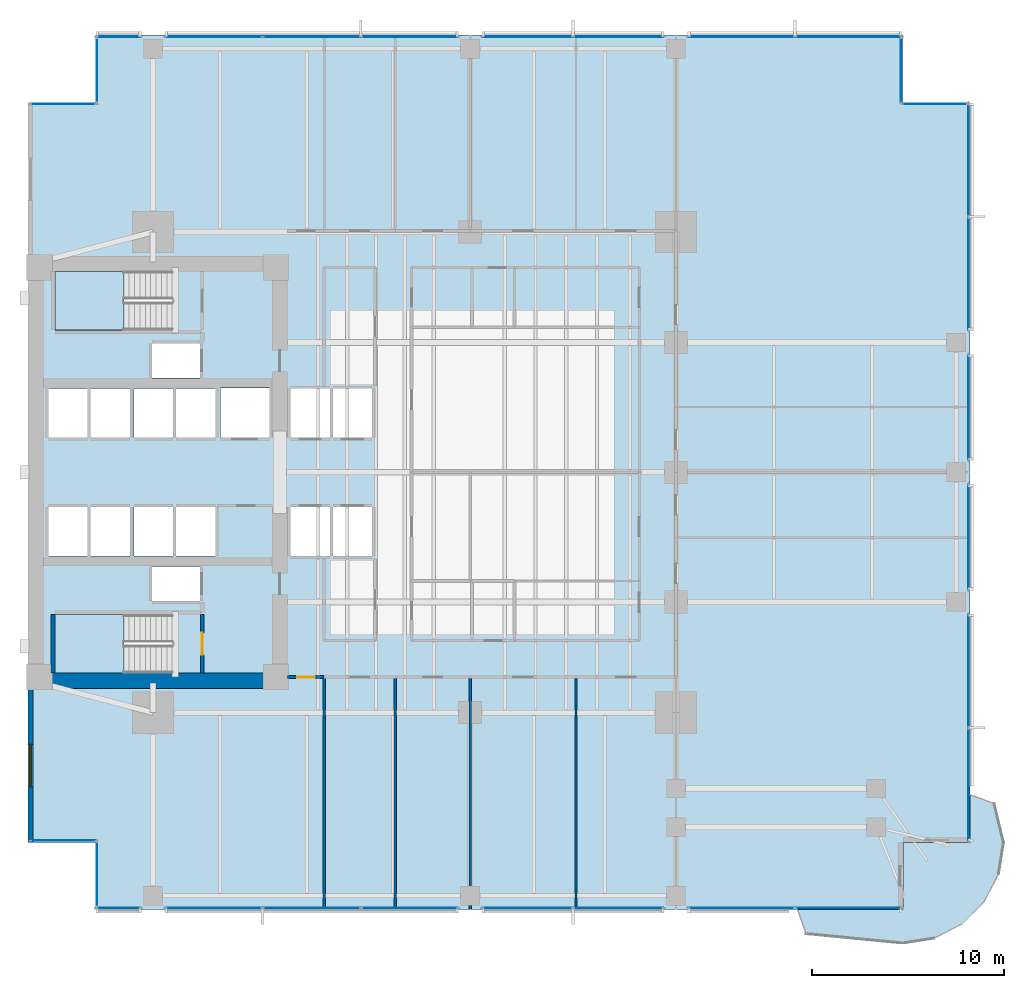
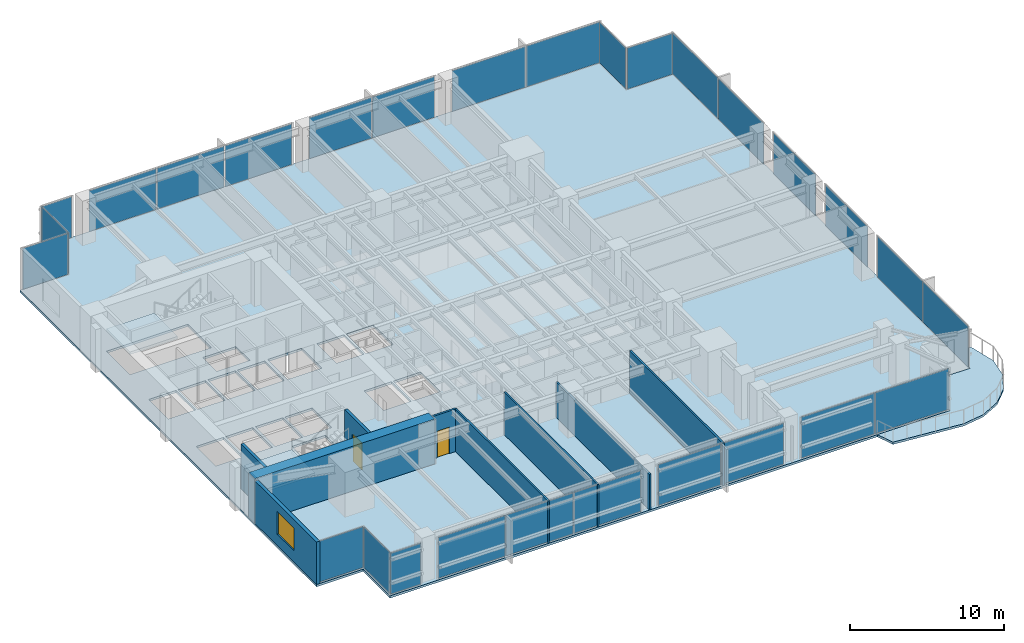
# One storey, part 7 of 15: 28 plates, 9 walls, 4 slabs, 2 doors, 1 window, 3 openings, 20 elements without a shape of their own.
"""IFC4 building model written with IfcOpenShell, lengths in metres."""

from ifc_helpers import new_model, si_unit, direction, frame, frame_2d, origin, origin_2d, place, context, subcontext, project, spatial, polyline, rectangle, outline, extrude, material, layer, layer_set, type_object, element, fill, aggregate, save


model = new_model("IFC4")

# Units and contexts
model_context = context("Model", 3, precision=1e-05, world=origin(), true_north=direction((0.0, 1.0)))
body_context = subcontext(model_context, "Body", "Model", "MODEL_VIEW")
ifc_project = project(units=[si_unit("LENGTHUNIT", "METRE"), si_unit("AREAUNIT", "SQUARE_METRE"), si_unit("VOLUMEUNIT", "CUBIC_METRE"), si_unit("PLANEANGLEUNIT", "RADIAN"), si_unit("MASSUNIT", "GRAM", prefix="KILO")], contexts=[model_context])

# Site, building, storey
site_placement = place(None, origin())
site = spatial("IfcSite", under=ifc_project, at=site_placement, CompositionType="ELEMENT")
building_placement = place(site_placement, origin())
building = spatial("IfcBuilding", under=site, at=building_placement, Name="Kinhvarn Gate Tower", CompositionType="ELEMENT")
storey_placement = place(building_placement, frame((0.0, 0.0, 61.10009765625)))
storey = spatial("IfcBuildingStorey", under=building, at=storey_placement, Name="L15", CompositionType="ELEMENT", Elevation=61.10009765625)

# Curtain wall, plate
ifc_material_1 = material(Name="Anodised aluminium AW-6063", Category="aluminium")
ifc_layer_1 = layer(ifc_material_1, 0.179931640625)
ifc_layer_set_1 = layer_set([ifc_layer_1], Name="Anodised aluminium AW-6063")
curtain_wall_type_1 = type_object("IfcCurtainWallType", Name="CW-SYS-2", PredefinedType="NOTDEFINED", material=ifc_layer_set_1)
curtain_wall_1_placement = place(storey_placement, origin())
curtain_wall_1 = element("IfcCurtainWall", 1, at=curtain_wall_1_placement, inside=storey, type_object=curtain_wall_type_1, Name="Curtain Wall CW2 (L15)", PredefinedType="NOTDEFINED")
ifc_material_2 = material(Name="Clear low-e double glazing", Category="glass")
ifc_layer_2 = layer(ifc_material_2, 0.031982421875)
ifc_layer_set_2 = layer_set([ifc_layer_2], Name="Clear low-e double glazing")
plate_type = type_object("IfcPlateType", Name="CW-PNL-VIS", PredefinedType="CURTAIN_PANEL", material=ifc_layer_set_2)
plate_1_placement = place(storey_placement, frame((9.2099609375, 2.590087890625, 0.06982421875), z_axis=(0.0, 0.0, 1.0), x_axis=(1.0, 0.0, 0.0)))
plate_1 = element("IfcPlate", 2, at=plate_1_placement, type_object=plate_type, Name="CW2 panel 1.1", PredefinedType="CURTAIN_PANEL", context=body_context, shape_type="SweptSolid", body=[
    extrude(rectangle(XDim=2.280029296875, YDim=0.031982421875, at=origin_2d()), origin(), (0.0, 0.0, 1.0), 3.22998046875),
])
aggregate(curtain_wall_1, [plate_1])

# Curtain wall, plates
curtain_wall_2_placement = place(storey_placement, origin())
curtain_wall_2 = element("IfcCurtainWall", 3, at=curtain_wall_2_placement, inside=storey, type_object=curtain_wall_type_1, Name="Curtain Wall CW2 (L15)", PredefinedType="NOTDEFINED")
plate_2_placement = place(storey_placement, frame((14.154052734375, 2.590087890625, 0.06982421875), z_axis=(0.0, 0.0, 1.0), x_axis=(1.0, 0.0, 0.0)))
plate_2 = element("IfcPlate", 4, at=plate_2_placement, type_object=plate_type, Name="CW2 panel 1.1", PredefinedType="CURTAIN_PANEL", context=body_context, shape_type="SweptSolid", body=[
    extrude(rectangle(XDim=5.00830078125, YDim=0.031982421875, at=origin_2d()), origin(), (0.0, 0.0, 1.0), 3.22998046875),
])
plate_3_placement = place(storey_placement, frame((19.25, 2.590087890625, 0.06982421875), z_axis=(0.0, 0.0, 1.0), x_axis=(1.0, 0.0, 0.0)))
plate_3 = element("IfcPlate", 5, at=plate_3_placement, type_object=plate_type, Name="CW2 panel 2.1", PredefinedType="CURTAIN_PANEL", context=body_context, shape_type="SweptSolid", body=[
    extrude(rectangle(XDim=5.043212890625, YDim=0.031982421875, at=origin_2d()), origin(), (0.0, 0.0, 1.0), 3.22998046875),
])
plate_4_placement = place(storey_placement, frame((24.345947265625, 2.590087890625, 0.06982421875), z_axis=(0.0, 0.0, 1.0), x_axis=(1.0, 0.0, 0.0)))
plate_4 = element("IfcPlate", 6, at=plate_4_placement, type_object=plate_type, Name="CW2 panel 3.1", PredefinedType="CURTAIN_PANEL", context=body_context, shape_type="SweptSolid", body=[
    extrude(rectangle(XDim=5.00830078125, YDim=0.031982421875, at=origin_2d()), origin(), (0.0, 0.0, 1.0), 3.22998046875),
])
aggregate(curtain_wall_2, [plate_2, plate_3, plate_4])

curtain_wall_3_placement = place(storey_placement, origin())
curtain_wall_3 = element("IfcCurtainWall", 7, at=curtain_wall_3_placement, inside=storey, type_object=curtain_wall_type_1, Name="Curtain Wall CW2 (L15)", PredefinedType="NOTDEFINED")
plate_5_placement = place(storey_placement, frame((30.482421875, 2.590087890625, 0.06982421875), z_axis=(0.0, 0.0, 1.0), x_axis=(1.0, 0.0, 0.0)))
plate_5 = element("IfcPlate", 8, at=plate_5_placement, type_object=plate_type, Name="CW2 panel 1.1", PredefinedType="CURTAIN_PANEL", context=body_context, shape_type="SweptSolid", body=[
    extrude(rectangle(XDim=4.6650390625, YDim=0.031982421875, at=origin_2d()), origin(), (0.0, 0.0, 1.0), 3.22998046875),
])
plate_6_placement = place(storey_placement, frame((35.217529296875, 2.590087890625, 0.06982421875), z_axis=(0.0, 0.0, 1.0), x_axis=(1.0, 0.0, 0.0)))
plate_6 = element("IfcPlate", 9, at=plate_6_placement, type_object=plate_type, Name="CW2 panel 2.1", PredefinedType="CURTAIN_PANEL", context=body_context, shape_type="SweptSolid", body=[
    extrude(rectangle(XDim=4.6650390625, YDim=0.031982421875, at=origin_2d()), origin(), (0.0, 0.0, 1.0), 3.22998046875),
])
aggregate(curtain_wall_3, [plate_5, plate_6])

curtain_wall_4_placement = place(storey_placement, origin())
curtain_wall_4 = element("IfcCurtainWall", 10, at=curtain_wall_4_placement, inside=storey, type_object=curtain_wall_type_1, Name="Curtain Wall CW2 (L15)", PredefinedType="NOTDEFINED")
plate_7_placement = place(storey_placement, frame((41.6025390625, 2.590087890625, 0.06982421875), z_axis=(0.0, 0.0, 1.0), x_axis=(1.0, 0.0, 0.0)))
plate_7 = element("IfcPlate", 11, at=plate_7_placement, type_object=plate_type, Name="CW2 panel 1.1", PredefinedType="CURTAIN_PANEL", context=body_context, shape_type="SweptSolid", body=[
    extrude(rectangle(XDim=5.5048828125, YDim=0.031982421875, at=origin_2d()), origin(), (0.0, 0.0, 1.0), 3.22998046875),
])
plate_8_placement = place(storey_placement, frame((47.177490234375, 2.590087890625, 0.06982421875), z_axis=(0.0, 0.0, 1.0), x_axis=(1.0, 0.0, 0.0)))
plate_8 = element("IfcPlate", 12, at=plate_8_placement, type_object=plate_type, Name="CW2 panel 2.1", PredefinedType="CURTAIN_PANEL", context=body_context, shape_type="SweptSolid", body=[
    extrude(rectangle(XDim=5.5048828125, YDim=0.031982421875, at=origin_2d()), origin(), (0.0, 0.0, 1.0), 3.22998046875),
])
aggregate(curtain_wall_4, [plate_7, plate_8])

curtain_wall_5_placement = place(storey_placement, origin())
curtain_wall_5 = element("IfcCurtainWall", 13, at=curtain_wall_5_placement, inside=storey, type_object=curtain_wall_type_1, Name="Curtain Wall CW2 (L15)", PredefinedType="NOTDEFINED")
plate_9_placement = place(storey_placement, frame((47.177490234375, 47.909912109375, 0.06982421875), z_axis=(0.0, 0.0, 1.0), x_axis=(-1.0, 0.0, 0.0)))
plate_9 = element("IfcPlate", 14, at=plate_9_placement, type_object=plate_type, Name="CW2 panel 1.1", PredefinedType="CURTAIN_PANEL", context=body_context, shape_type="SweptSolid", body=[
    extrude(rectangle(XDim=5.5048828125, YDim=0.031982421875, at=origin_2d()), origin(), (0.0, 0.0, 1.0), 3.22998046875),
])
plate_10_placement = place(storey_placement, frame((41.6025390625, 47.909912109375, 0.06982421875), z_axis=(0.0, 0.0, 1.0), x_axis=(-1.0, 0.0, 0.0)))
plate_10 = element("IfcPlate", 15, at=plate_10_placement, type_object=plate_type, Name="CW2 panel 2.1", PredefinedType="CURTAIN_PANEL", context=body_context, shape_type="SweptSolid", body=[
    extrude(rectangle(XDim=5.5048828125, YDim=0.031982421875, at=origin_2d()), origin(), (0.0, 0.0, 1.0), 3.22998046875),
])
aggregate(curtain_wall_5, [plate_9, plate_10])

curtain_wall_6_placement = place(storey_placement, origin())
curtain_wall_6 = element("IfcCurtainWall", 16, at=curtain_wall_6_placement, inside=storey, type_object=curtain_wall_type_1, Name="Curtain Wall CW2 (L15)", PredefinedType="NOTDEFINED")
plate_11_placement = place(storey_placement, frame((35.217529296875, 47.909912109375, 0.06982421875), z_axis=(0.0, 0.0, 1.0), x_axis=(-1.0, 0.0, 0.0)))
plate_11 = element("IfcPlate", 17, at=plate_11_placement, type_object=plate_type, Name="CW2 panel 1.1", PredefinedType="CURTAIN_PANEL", context=body_context, shape_type="SweptSolid", body=[
    extrude(rectangle(XDim=4.6650390625, YDim=0.031982421875, at=origin_2d()), origin(), (0.0, 0.0, 1.0), 3.22998046875),
])
plate_12_placement = place(storey_placement, frame((30.482421875, 47.909912109375, 0.06982421875), z_axis=(0.0, 0.0, 1.0), x_axis=(-1.0, 0.0, 0.0)))
plate_12 = element("IfcPlate", 18, at=plate_12_placement, type_object=plate_type, Name="CW2 panel 2.1", PredefinedType="CURTAIN_PANEL", context=body_context, shape_type="SweptSolid", body=[
    extrude(rectangle(XDim=4.6650390625, YDim=0.031982421875, at=origin_2d()), origin(), (0.0, 0.0, 1.0), 3.22998046875),
])
aggregate(curtain_wall_6, [plate_11, plate_12])

curtain_wall_7_placement = place(storey_placement, origin())
curtain_wall_7 = element("IfcCurtainWall", 19, at=curtain_wall_7_placement, inside=storey, type_object=curtain_wall_type_1, Name="Curtain Wall CW2 (L15)", PredefinedType="NOTDEFINED")
plate_13_placement = place(storey_placement, frame((24.345947265625, 47.909912109375, 0.06982421875), z_axis=(0.0, 0.0, 1.0), x_axis=(-1.0, 0.0, 0.0)))
plate_13 = element("IfcPlate", 20, at=plate_13_placement, type_object=plate_type, Name="CW2 panel 1.1", PredefinedType="CURTAIN_PANEL", context=body_context, shape_type="SweptSolid", body=[
    extrude(rectangle(XDim=5.00830078125, YDim=0.031982421875, at=origin_2d()), origin(), (0.0, 0.0, 1.0), 3.22998046875),
])
plate_14_placement = place(storey_placement, frame((19.25, 47.909912109375, 0.06982421875), z_axis=(0.0, 0.0, 1.0), x_axis=(-1.0, 0.0, 0.0)))
plate_14 = element("IfcPlate", 21, at=plate_14_placement, type_object=plate_type, Name="CW2 panel 2.1", PredefinedType="CURTAIN_PANEL", context=body_context, shape_type="SweptSolid", body=[
    extrude(rectangle(XDim=5.043212890625, YDim=0.031982421875, at=origin_2d()), origin(), (0.0, 0.0, 1.0), 3.22998046875),
])
plate_15_placement = place(storey_placement, frame((14.154052734375, 47.909912109375, 0.06982421875), z_axis=(0.0, 0.0, 1.0), x_axis=(-1.0, 0.0, 0.0)))
plate_15 = element("IfcPlate", 22, at=plate_15_placement, type_object=plate_type, Name="CW2 panel 3.1", PredefinedType="CURTAIN_PANEL", context=body_context, shape_type="SweptSolid", body=[
    extrude(rectangle(XDim=5.00830078125, YDim=0.031982421875, at=origin_2d()), origin(), (0.0, 0.0, 1.0), 3.22998046875),
])
aggregate(curtain_wall_7, [plate_13, plate_14, plate_15])

# Curtain wall, plate
curtain_wall_8_placement = place(storey_placement, origin())
curtain_wall_8 = element("IfcCurtainWall", 23, at=curtain_wall_8_placement, inside=storey, type_object=curtain_wall_type_1, Name="Curtain Wall CW2 (L15)", PredefinedType="NOTDEFINED")
plate_16_placement = place(storey_placement, frame((9.2099609375, 47.909912109375, 0.06982421875), z_axis=(0.0, 0.0, 1.0), x_axis=(-1.0, 0.0, 0.0)))
plate_16 = element("IfcPlate", 24, at=plate_16_placement, type_object=plate_type, Name="CW2 panel 1.1", PredefinedType="CURTAIN_PANEL", context=body_context, shape_type="SweptSolid", body=[
    extrude(rectangle(XDim=2.280029296875, YDim=0.031982421875, at=origin_2d()), origin(), (0.0, 0.0, 1.0), 3.22998046875),
])
aggregate(curtain_wall_8, [plate_16])

# Curtain wall, plates
curtain_wall_9_placement = place(storey_placement, origin())
curtain_wall_9 = element("IfcCurtainWall", 25, at=curtain_wall_9_placement, inside=storey, type_object=curtain_wall_type_1, Name="Curtain Wall CW2 (L15)", PredefinedType="NOTDEFINED")
plate_17_placement = place(storey_placement, frame((53.409912109375, 8.99755859375, 0.06982421875), z_axis=(0.0, 0.0, 1.0), x_axis=(0.0, 1.0, 0.0)))
plate_17 = element("IfcPlate", 26, at=plate_17_placement, type_object=plate_type, Name="CW2 panel 1.1", PredefinedType="CURTAIN_PANEL", context=body_context, shape_type="SweptSolid", body=[
    extrude(rectangle(XDim=5.85498046875, YDim=0.031982421875, at=origin_2d()), origin(), (0.0, 0.0, 1.0), 3.22998046875),
])
plate_18_placement = place(storey_placement, frame((53.409912109375, 14.922607421875, 0.06982421875), z_axis=(0.0, 0.0, 1.0), x_axis=(0.0, 1.0, 0.0)))
plate_18 = element("IfcPlate", 27, at=plate_18_placement, type_object=plate_type, Name="CW2 panel 2.1", PredefinedType="CURTAIN_PANEL", context=body_context, shape_type="SweptSolid", body=[
    extrude(rectangle(XDim=5.85498046875, YDim=0.031982421875, at=origin_2d()), origin(), (0.0, 0.0, 1.0), 3.22998046875),
])
aggregate(curtain_wall_9, [plate_17, plate_18])

# Curtain wall, plate
curtain_wall_10_placement = place(storey_placement, origin())
curtain_wall_10 = element("IfcCurtainWall", 28, at=curtain_wall_10_placement, inside=storey, type_object=curtain_wall_type_1, Name="Curtain Wall CW2 (L15)", PredefinedType="NOTDEFINED")
plate_19_placement = place(storey_placement, frame((53.409912109375, 21.875, 0.06982421875), z_axis=(0.0, 0.0, 1.0), x_axis=(0.0, 1.0, 0.0)))
plate_19 = element("IfcPlate", 29, at=plate_19_placement, type_object=plate_type, Name="CW2 panel 1.1", PredefinedType="CURTAIN_PANEL", context=body_context, shape_type="SweptSolid", body=[
    extrude(rectangle(XDim=5.449951171875, YDim=0.031982421875, at=origin_2d()), origin(), (0.0, 0.0, 1.0), 3.22998046875),
])
aggregate(curtain_wall_10, [plate_19])

curtain_wall_11_placement = place(storey_placement, origin())
curtain_wall_11 = element("IfcCurtainWall", 30, at=curtain_wall_11_placement, inside=storey, type_object=curtain_wall_type_1, Name="Curtain Wall CW2 (L15)", PredefinedType="NOTDEFINED")
plate_20_placement = place(storey_placement, frame((53.409912109375, 28.625, 0.06982421875), z_axis=(0.0, 0.0, 1.0), x_axis=(0.0, 1.0, 0.0)))
plate_20 = element("IfcPlate", 31, at=plate_20_placement, type_object=plate_type, Name="CW2 panel 1.1", PredefinedType="CURTAIN_PANEL", context=body_context, shape_type="SweptSolid", body=[
    extrude(rectangle(XDim=5.449951171875, YDim=0.031982421875, at=origin_2d()), origin(), (0.0, 0.0, 1.0), 3.22998046875),
])
aggregate(curtain_wall_11, [plate_20])

# Curtain wall, plates
curtain_wall_12_placement = place(storey_placement, origin())
curtain_wall_12 = element("IfcCurtainWall", 32, at=curtain_wall_12_placement, inside=storey, type_object=curtain_wall_type_1, Name="Curtain Wall CW2 (L15)", PredefinedType="NOTDEFINED")
plate_21_placement = place(storey_placement, frame((53.409912109375, 35.577392578125, 0.06982421875), z_axis=(0.0, 0.0, 1.0), x_axis=(0.0, 1.0, 0.0)))
plate_21 = element("IfcPlate", 33, at=plate_21_placement, type_object=plate_type, Name="CW2 panel 1.1", PredefinedType="CURTAIN_PANEL", context=body_context, shape_type="SweptSolid", body=[
    extrude(rectangle(XDim=5.85498046875, YDim=0.031982421875, at=origin_2d()), origin(), (0.0, 0.0, 1.0), 3.22998046875),
])
plate_22_placement = place(storey_placement, frame((53.409912109375, 41.50244140625, 0.06982421875), z_axis=(0.0, 0.0, 1.0), x_axis=(0.0, 1.0, 0.0)))
plate_22 = element("IfcPlate", 34, at=plate_22_placement, type_object=plate_type, Name="CW2 panel 2.1", PredefinedType="CURTAIN_PANEL", context=body_context, shape_type="SweptSolid", body=[
    extrude(rectangle(XDim=5.85498046875, YDim=0.031982421875, at=origin_2d()), origin(), (0.0, 0.0, 1.0), 3.22998046875),
])
aggregate(curtain_wall_12, [plate_21, plate_22])

# Curtain wall, plate
ifc_layer_3 = layer(ifc_material_1, 0.179931640625)
ifc_layer_set_3 = layer_set([ifc_layer_3], Name="Anodised aluminium AW-6063")
curtain_wall_type_2 = type_object("IfcCurtainWallType", Name="CW-SYS-4", PredefinedType="NOTDEFINED", material=ifc_layer_set_3)
curtain_wall_13_placement = place(storey_placement, origin())
curtain_wall_13 = element("IfcCurtainWall", 35, at=curtain_wall_13_placement, inside=storey, type_object=curtain_wall_type_2, Name="Curtain Wall CW4 (L15)", PredefinedType="NOTDEFINED")
plate_23_placement = place(storey_placement, frame((6.340087890625, 6.090087890625, 0.06494140625), z_axis=(0.0, 0.0, 1.0), x_axis=(1.0, 0.0, 0.0)))
plate_23 = element("IfcPlate", 36, at=plate_23_placement, type_object=plate_type, Name="CW4 panel 1.1", PredefinedType="CURTAIN_PANEL", context=body_context, shape_type="SweptSolid", body=[
    extrude(rectangle(XDim=3.3701171875, YDim=0.031982421875, at=origin_2d()), origin(), (0.0, 0.0, 1.0), 3.239990234375),
])
aggregate(curtain_wall_13, [plate_23])

curtain_wall_14_placement = place(storey_placement, origin())
curtain_wall_14 = element("IfcCurtainWall", 37, at=curtain_wall_14_placement, inside=storey, type_object=curtain_wall_type_2, Name="Curtain Wall CW4 (L15)", PredefinedType="NOTDEFINED")
plate_24_placement = place(storey_placement, frame((8.090087890625, 4.340087890625, 0.06494140625), z_axis=(0.0, 0.0, 1.0), x_axis=(0.0, -1.0, 0.0)))
plate_24 = element("IfcPlate", 38, at=plate_24_placement, type_object=plate_type, Name="CW4 panel 1.1", PredefinedType="CURTAIN_PANEL", context=body_context, shape_type="SweptSolid", body=[
    extrude(rectangle(XDim=3.3701171875, YDim=0.031982421875, at=origin_2d()), origin(), (0.0, 0.0, 1.0), 3.239990234375),
])
aggregate(curtain_wall_14, [plate_24])

curtain_wall_15_placement = place(storey_placement, origin())
curtain_wall_15 = element("IfcCurtainWall", 39, at=curtain_wall_15_placement, inside=storey, type_object=curtain_wall_type_2, Name="Curtain Wall CW4 (L15)", PredefinedType="NOTDEFINED")
plate_25_placement = place(storey_placement, frame((51.659912109375, 44.409912109375, 0.06494140625), z_axis=(0.0, 0.0, 1.0), x_axis=(-1.0, 0.0, 0.0)))
plate_25 = element("IfcPlate", 40, at=plate_25_placement, type_object=plate_type, Name="CW4 panel 1.1", PredefinedType="CURTAIN_PANEL", context=body_context, shape_type="SweptSolid", body=[
    extrude(rectangle(XDim=3.3701171875, YDim=0.031982421875, at=origin_2d()), origin(), (0.0, 0.0, 1.0), 3.239990234375),
])
aggregate(curtain_wall_15, [plate_25])

curtain_wall_16_placement = place(storey_placement, origin())
curtain_wall_16 = element("IfcCurtainWall", 41, at=curtain_wall_16_placement, inside=storey, type_object=curtain_wall_type_2, Name="Curtain Wall CW4 (L15)", PredefinedType="NOTDEFINED")
plate_26_placement = place(storey_placement, frame((49.909912109375, 46.159912109375, 0.06494140625), z_axis=(0.0, 0.0, 1.0), x_axis=(0.0, 1.0, 0.0)))
plate_26 = element("IfcPlate", 42, at=plate_26_placement, type_object=plate_type, Name="CW4 panel 1.1", PredefinedType="CURTAIN_PANEL", context=body_context, shape_type="SweptSolid", body=[
    extrude(rectangle(XDim=3.3701171875, YDim=0.031982421875, at=origin_2d()), origin(), (0.0, 0.0, 1.0), 3.239990234375),
])
aggregate(curtain_wall_16, [plate_26])

curtain_wall_17_placement = place(storey_placement, origin())
curtain_wall_17 = element("IfcCurtainWall", 43, at=curtain_wall_17_placement, inside=storey, type_object=curtain_wall_type_2, Name="Curtain Wall CW4 (L15)", PredefinedType="NOTDEFINED")
plate_27_placement = place(storey_placement, frame((8.090087890625, 46.159912109375, 0.06494140625), z_axis=(0.0, 0.0, 1.0), x_axis=(0.0, -1.0, 0.0)))
plate_27 = element("IfcPlate", 44, at=plate_27_placement, type_object=plate_type, Name="CW4 panel 1.1", PredefinedType="CURTAIN_PANEL", context=body_context, shape_type="SweptSolid", body=[
    extrude(rectangle(XDim=3.3701171875, YDim=0.031982421875, at=origin_2d()), origin(), (0.0, 0.0, 1.0), 3.239990234375),
])
aggregate(curtain_wall_17, [plate_27])

curtain_wall_18_placement = place(storey_placement, origin())
curtain_wall_18 = element("IfcCurtainWall", 45, at=curtain_wall_18_placement, inside=storey, type_object=curtain_wall_type_2, Name="Curtain Wall CW4 (L15)", PredefinedType="NOTDEFINED")
plate_28_placement = place(storey_placement, frame((6.340087890625, 44.409912109375, 0.06494140625), z_axis=(0.0, 0.0, 1.0), x_axis=(-1.0, 0.0, 0.0)))
plate_28 = element("IfcPlate", 46, at=plate_28_placement, type_object=plate_type, Name="CW4 panel 1.1", PredefinedType="CURTAIN_PANEL", context=body_context, shape_type="SweptSolid", body=[
    extrude(rectangle(XDim=3.3701171875, YDim=0.031982421875, at=origin_2d()), origin(), (0.0, 0.0, 1.0), 3.239990234375),
])
aggregate(curtain_wall_18, [plate_28])

# Slabs
ifc_material_3 = material(Name="Precast white architectural concrete C40/50", Category="concrete")
ifc_layer_4 = layer(ifc_material_3, 0.179931640625)
ifc_layer_set_4 = layer_set([ifc_layer_4], Name="Precast white architectural concrete C40/50")
slab_type_1 = type_object("IfcSlabType", Name="SLB-BAL-180", PredefinedType="FLOOR", material=ifc_layer_set_4)
slab_1_placement = place(storey_placement, frame((0.0, 0.0, -0.18017578125)))
element("IfcSlab", 47, at=slab_1_placement, inside=storey, type_object=slab_type_1, Name="S-Carve Curved Terrace Balcony Slab L15 (SE)", PredefinedType="FLOOR", context=body_context, shape_type="SweptSolid", body=[
    extrude(outline(polyline([(44.527099609375, 2.5), (44.97705078125, 1.245849609375), (50.0, 0.758056640625), (51.619873046875, 1.0146484375), (53.081298828125, 1.759033203125), (54.240966796875, 2.918701171875), (54.9853515625, 4.380126953125), (55.241943359375, 6.0), (54.754150390625, 8.027099609375), (53.5, 8.47705078125), (53.5, 6.0), (50.0, 6.0), (50.0, 2.5), (44.527099609375, 2.5)])), origin(), (0.0, 0.0, 1.0), 0.18017578125),
])
ifc_material_4 = material(Name="Concrete C40/50", Category="concrete")
ifc_layer_5 = layer(ifc_material_4, 0.179931640625)
ifc_layer_set_5 = layer_set([ifc_layer_5], Name="Concrete C40/50")
slab_type_2 = type_object("IfcSlabType", Name="SLB-FLR-180", PredefinedType="FLOOR", material=ifc_layer_set_5)
slab_2_placement = place(storey_placement, frame((0.0, 0.0, -0.18017578125)))
element("IfcSlab", 48, at=slab_2_placement, inside=storey, type_object=slab_type_2, Name="Suspended Floor Slab L15", PredefinedType="FLOOR", context=body_context, shape_type="SweptSolid", body=[
    extrude(outline(polyline([(8.0, 2.5), (50.0, 2.5), (50.0, 6.0), (53.5, 6.0), (53.5, 44.5), (50.0, 44.5), (50.0, 48.0), (8.0, 48.0), (8.0, 44.5), (4.5, 44.5), (4.5, 6.0), (8.0, 6.0), (8.0, 2.5)]), holes=[polyline([(5.89990234375, 14.800048828125), (12.0, 14.800048828125), (12.0, 17.85009765625), (5.89990234375, 17.85009765625), (5.89990234375, 14.800048828125)]), polyline([(5.89990234375, 32.64990234375), (12.0, 32.64990234375), (12.0, 35.699951171875), (5.89990234375, 35.699951171875), (5.89990234375, 32.64990234375)]), polyline([(18.14990234375, 20.89990234375), (20.199951171875, 20.89990234375), (20.199951171875, 23.449951171875), (18.14990234375, 23.449951171875), (18.14990234375, 20.89990234375)]), polyline([(20.35009765625, 20.89990234375), (22.39990234375, 20.89990234375), (22.39990234375, 23.449951171875), (20.35009765625, 23.449951171875), (20.35009765625, 20.89990234375)]), polyline([(18.14990234375, 27.050048828125), (20.199951171875, 27.050048828125), (20.199951171875, 29.60009765625), (18.14990234375, 29.60009765625), (18.14990234375, 27.050048828125)]), polyline([(20.35009765625, 27.050048828125), (22.39990234375, 27.050048828125), (22.39990234375, 29.60009765625), (20.35009765625, 29.60009765625), (20.35009765625, 27.050048828125)]), polyline([(5.550048828125, 20.89990234375), (7.60009765625, 20.89990234375), (7.60009765625, 23.449951171875), (5.550048828125, 23.449951171875), (5.550048828125, 20.89990234375)]), polyline([(7.75, 20.89990234375), (9.800048828125, 20.89990234375), (9.800048828125, 23.449951171875), (7.75, 23.449951171875), (7.75, 20.89990234375)]), polyline([(5.550048828125, 27.050048828125), (7.60009765625, 27.050048828125), (7.60009765625, 29.60009765625), (5.550048828125, 29.60009765625), (5.550048828125, 27.050048828125)]), polyline([(7.75, 27.050048828125), (9.800048828125, 27.050048828125), (9.800048828125, 29.60009765625), (7.75, 29.60009765625), (7.75, 27.050048828125)]), polyline([(10.0, 20.89990234375), (12.050048828125, 20.89990234375), (12.050048828125, 23.449951171875), (10.0, 23.449951171875), (10.0, 20.89990234375)]), polyline([(12.199951171875, 20.89990234375), (14.25, 20.89990234375), (14.25, 23.449951171875), (12.199951171875, 23.449951171875), (12.199951171875, 20.89990234375)]), polyline([(10.0, 27.050048828125), (12.050048828125, 27.050048828125), (12.050048828125, 29.60009765625), (10.0, 29.60009765625), (10.0, 27.050048828125)]), polyline([(12.199951171875, 27.050048828125), (14.25, 27.050048828125), (14.25, 29.60009765625), (12.199951171875, 29.60009765625), (12.199951171875, 27.050048828125)]), polyline([(14.5, 27.050048828125), (17.050048828125, 27.050048828125), (17.050048828125, 29.64990234375), (14.5, 29.64990234375), (14.5, 27.050048828125)]), polyline([(10.949951171875, 18.550048828125), (13.449951171875, 18.550048828125), (13.449951171875, 20.35009765625), (10.949951171875, 20.35009765625), (10.949951171875, 18.550048828125)]), polyline([(10.949951171875, 30.14990234375), (13.449951171875, 30.14990234375), (13.449951171875, 31.949951171875), (10.949951171875, 31.949951171875), (10.949951171875, 30.14990234375)])]), origin(), (0.0, 0.0, 1.0), 0.18017578125),
])

# Stair, slab
stair_type = type_object("IfcStairType", Name="STR-DLG-178", PredefinedType="HALF_TURN_STAIR", material=ifc_material_4)
stair_1_placement = place(storey_placement, origin())
stair_1 = element("IfcStair", 49, at=stair_1_placement, inside=storey, type_object=stair_type, Name="L15 Core Smokeproof Exit Stair ST1", PredefinedType="HALF_TURN_STAIR")
ifc_layer_6 = layer(ifc_material_4, 0.199951171875)
ifc_layer_set_6 = layer_set([ifc_layer_6], Name="Concrete C40/50")
slab_type_3 = type_object("IfcSlabType", Name="SLB-ST-LND", PredefinedType="LANDING", material=ifc_layer_set_6)
slab_3_placement = place(storey_placement, frame((0.0, 0.0, 1.574951171875)))
slab_3 = element("IfcSlab", 50, at=slab_3_placement, type_object=slab_type_3, Name="ST1 landing 1", PredefinedType="LANDING", context=body_context, shape_type="SweptSolid", body=[
    extrude(outline(polyline([(9.47998046875, 17.85009765625), (5.89990234375, 17.85009765625), (5.89990234375, 14.800048828125), (9.47998046875, 14.800048828125), (9.47998046875, 17.85009765625)])), origin(), (0.0, 0.0, 1.0), 0.199951171875),
])
aggregate(stair_1, [slab_3])

stair_2_placement = place(storey_placement, origin())
stair_2 = element("IfcStair", 51, at=stair_2_placement, inside=storey, type_object=stair_type, Name="L15 Core Smokeproof Exit Stair ST2", PredefinedType="HALF_TURN_STAIR")
slab_4_placement = place(storey_placement, frame((0.0, 0.0, 1.574951171875)))
slab_4 = element("IfcSlab", 52, at=slab_4_placement, type_object=slab_type_3, Name="ST2 landing 1", PredefinedType="LANDING", context=body_context, shape_type="SweptSolid", body=[
    extrude(outline(polyline([(9.47998046875, 35.699951171875), (5.89990234375, 35.699951171875), (5.89990234375, 32.64990234375), (9.47998046875, 32.64990234375), (9.47998046875, 35.699951171875)])), origin(), (0.0, 0.0, 1.0), 0.199951171875),
])
aggregate(stair_2, [slab_4])

# Wall
ifc_material_5 = material(Name="Concrete C70/85", Category="concrete")
ifc_layer_7 = layer(ifc_material_5, 0.800048828125)
ifc_layer_set_7 = layer_set([ifc_layer_7], Name="Concrete C70/85")
wall_type_1 = type_object("IfcWallType", Name="WL-CORE-800", PredefinedType="SHEAR", material=ifc_layer_set_7)
wall_1_placement = place(storey_placement, frame((4.5, 14.39990234375, 0.0), z_axis=(0.0, 0.0, 1.0), x_axis=(1.0, 0.0, 0.0)))
element("IfcWall", 53, at=wall_1_placement, inside=storey, type_object=wall_type_1, Name="Core South Shear Wall L15 800 mm", PredefinedType="SHEAR", context=body_context, shape_type="SweptSolid", body=[
    extrude(rectangle(XDim=13.5, YDim=0.800048828125, at=frame_2d((6.75, 0.0))), origin(), (0.0, 0.0, 1.0), 3.5498046875),
])

# Wall, opening, window
ifc_material_6 = material(Name="Fired architectural terracotta", Category="masonry")
ifc_layer_8 = layer(ifc_material_6, 0.25)
ifc_layer_set_8 = layer_set([ifc_layer_8], Name="Fired architectural terracotta")
wall_type_2 = type_object("IfcWallType", Name="WL-EXT-250", PredefinedType="SOLIDWALL", material=ifc_layer_set_8)
wall_2_placement = place(storey_placement, frame((4.625, 14.0, 0.0), z_axis=(0.0, 0.0, 1.0), x_axis=(0.0, -1.0, 0.0)))
wall_2 = element("IfcWall", 54, at=wall_2_placement, inside=storey, type_object=wall_type_2, Name="Exterior Solidwall Wall EW-250 (L15 West-South)", PredefinedType="SOLIDWALL", context=body_context, shape_type="SweptSolid", body=[
    extrude(rectangle(XDim=8.0, YDim=0.25, at=frame_2d((4.0, 0.0))), origin(), (0.0, 0.0, 1.0), 3.369873046875),
])
opening_1_placement = place(wall_2_placement, frame((2.89990234375, 0.0, 0.89990234375)))
opening_1 = element("IfcOpeningElement", 55, at=opening_1_placement, cuts=wall_2, Name="Opening WN-01", PredefinedType="OPENING", context=body_context, shape_type="SweptSolid", body=[
    extrude(rectangle(XDim=2.199951171875, YDim=1.800048828125, at=frame_2d((1.10009765625, 0.89990234375))), frame((0.0, 0.135009765625, 0.0), z_axis=(0.0, -1.0, 0.0), x_axis=(1.0, 0.0, 0.0)), (0.0, 0.0, 1.0), 0.27001953125),
])
window_type = type_object("IfcWindowType", Name="WIN-RIB-2200", PartitioningType="SINGLE_PANEL", PredefinedType="WINDOW", material=ifc_material_2)
window_placement = place(opening_1_placement, origin())
window = element("IfcWindow", 56, at=window_placement, inside=storey, type_object=window_type, Name="West Flank Double-Glazed Ribbon Window 2200x1800 mm (L15)", OverallHeight=1.800048828125, OverallWidth=2.199951171875, PartitioningType="SINGLE_PANEL", PredefinedType="WINDOW", context=body_context, shape_type="SweptSolid", body=[
    extrude(rectangle(XDim=2.199951171875, YDim=1.800048828125, at=frame_2d((1.10009765625, 0.89990234375))), frame((0.0, 0.030029296875, 0.0), z_axis=(0.0, -1.0, 0.0), x_axis=(1.0, 0.0, 0.0)), (0.0, 0.0, 1.0), 0.06005859375),
])
fill(opening_1, window)

# Walls
ifc_material_7 = material(Name="Gypsum acoustic partition board")
ifc_layer_9 = layer(ifc_material_7, 0.1201171875)
ifc_layer_set_9 = layer_set([ifc_layer_9], Name="Gypsum acoustic partition board")
wall_type_3 = type_object("IfcWallType", Name="WL-PRT-120", PredefinedType="PARTITIONING", material=ifc_layer_set_9)
for number, where, z_axis, x_axis, name in (
    (57, (19.89990234375, 2.510009765625, 0.0), (0.0, 0.0, 1.0), (0.0, 1.0, 0.0), "Interior Partition PW-120 (L15)"),
    (58, (23.60009765625, 2.510009765625, 0.0), (0.0, 0.0, 1.0), (0.0, 1.0, 0.0), "Interior Partition PW-120 (L15)"),
):
    element("IfcWall", number, at=place(storey_placement, frame(where, z_axis=z_axis, x_axis=x_axis)), inside=storey, type_object=wall_type_3, Name=name, PredefinedType="PARTITIONING", context=body_context, shape_type="SweptSolid", body=[
        extrude(rectangle(XDim=12.090087890625, YDim=0.1201171875, at=frame_2d((6.044921875, 0.0))), origin(), (0.0, 0.0, 1.0), 3.369873046875),
    ])
wall_3_placement = place(storey_placement, frame((27.5, 2.510009765625, 0.0), z_axis=(0.0, 0.0, 1.0), x_axis=(0.0, 1.0, 0.0)))
element("IfcWall", 59, at=wall_3_placement, inside=storey, type_object=wall_type_3, Name="Interior Partition PW-120 (L15)", PredefinedType="PARTITIONING", context=body_context, shape_type="SweptSolid", body=[
    extrude(rectangle(XDim=12.090087890625, YDim=0.1201171875, at=frame_2d((6.044921875, 0.0))), origin(), (0.0, 0.0, 1.0), 2.81982421875),
])
wall_4_placement = place(storey_placement, frame((33.0, 2.510009765625, 0.0), z_axis=(0.0, 0.0, 1.0), x_axis=(0.0, 1.0, 0.0)))
element("IfcWall", 60, at=wall_4_placement, inside=storey, type_object=wall_type_3, Name="Interior Partition PW-120 (L15)", PredefinedType="PARTITIONING", context=body_context, shape_type="SweptSolid", body=[
    extrude(rectangle(XDim=12.090087890625, YDim=0.1201171875, at=frame_2d((6.044921875, 0.0))), origin(), (0.0, 0.0, 1.0), 3.369873046875),
])

# Wall, opening, door
ifc_layer_10 = layer(ifc_material_7, 0.14990234375)
ifc_layer_set_10 = layer_set([ifc_layer_10], Name="Gypsum acoustic partition board")
wall_type_4 = type_object("IfcWallType", Name="WL-PRT-150F", PredefinedType="PARTITIONING", material=ifc_layer_set_10)
wall_5_placement = place(storey_placement, frame((18.0, 14.60009765625, 0.0), z_axis=(0.0, 0.0, 1.0), x_axis=(1.0, 0.0, 0.0)))
wall_5 = element("IfcWall", 61, at=wall_5_placement, inside=storey, type_object=wall_type_4, Name="Interior Partition PW-150F (L15)", PredefinedType="PARTITIONING", context=body_context, shape_type="SweptSolid", body=[
    extrude(rectangle(XDim=1.89990234375, YDim=0.14990234375, at=frame_2d((0.949951171875, 0.0))), origin(), (0.0, 0.0, 1.0), 3.369873046875),
])
opening_2_placement = place(wall_5_placement, frame((0.5, 0.0, 0.0)))
opening_2 = element("IfcOpeningElement", 62, at=opening_2_placement, cuts=wall_5, Name="Opening ID-03", PredefinedType="OPENING", context=body_context, shape_type="SweptSolid", body=[
    extrude(rectangle(XDim=0.89990234375, YDim=2.10009765625, at=frame_2d((0.449951171875, 1.050048828125))), frame((0.0, 0.0849609375, 0.0), z_axis=(0.0, -1.0, 0.0), x_axis=(1.0, 0.0, 0.0)), (0.0, 0.0, 1.0), 0.169921875),
])
door_type_1 = type_object("IfcDoorType", Name="DR-INT-900", OperationType="NOTDEFINED", PredefinedType="DOOR", material=ifc_material_1)
door_1_placement = place(opening_2_placement, origin())
door_1 = element("IfcDoor", 63, at=door_1_placement, inside=storey, type_object=door_type_1, Name="Cellular Office & Restroom Door 900x2100 mm (L15)", OperationType="SINGLE_SWING_RIGHT", OverallHeight=2.10009765625, OverallWidth=0.89990234375, PredefinedType="DOOR", context=body_context, shape_type="SweptSolid", body=[
    extrude(rectangle(XDim=0.89990234375, YDim=2.10009765625, at=frame_2d((0.449951171875, 1.050048828125))), frame((0.0, 0.02490234375, 0.0), z_axis=(0.0, -1.0, 0.0), x_axis=(1.0, 0.0, 0.0)), (0.0, 0.0, 1.0), 0.050048828125),
])
fill(opening_2, door_1)

# Wall
ifc_layer_11 = layer(ifc_material_4, 0.199951171875)
ifc_layer_set_11 = layer_set([ifc_layer_11], Name="Concrete C40/50")
wall_type_5 = type_object("IfcWallType", Name="WL-SHF-200", PredefinedType="SOLIDWALL", material=ifc_layer_set_11)
wall_6_placement = place(storey_placement, frame((5.7900390625, 14.800048828125, 0.0), z_axis=(0.0, 0.0, 1.0), x_axis=(0.0, 1.0, 0.0)))
element("IfcWall", 64, at=wall_6_placement, inside=storey, type_object=wall_type_5, Name="Stair ST1 West Shaft Wall (L15)", PredefinedType="SOLIDWALL", context=body_context, shape_type="SweptSolid", body=[
    extrude(rectangle(XDim=3.050048828125, YDim=0.199951171875, at=frame_2d((1.52490234375, 0.0))), origin(), (0.0, 0.0, 1.0), 3.5498046875),
])

# Wall, opening, door
wall_7_placement = place(storey_placement, frame((13.56005859375, 14.800048828125, 0.0), z_axis=(0.0, 0.0, 1.0), x_axis=(0.0, 1.0, 0.0)))
wall_7 = element("IfcWall", 65, at=wall_7_placement, inside=storey, type_object=wall_type_5, Name="Stair ST1 East Entry Wall (L15)", PredefinedType="SOLIDWALL", context=body_context, shape_type="SweptSolid", body=[
    extrude(rectangle(XDim=3.050048828125, YDim=0.199951171875, at=frame_2d((1.52490234375, 0.0))), origin(), (0.0, 0.0, 1.0), 3.5498046875),
])
opening_3_placement = place(wall_7_placement, frame((0.949951171875, 0.0, 0.0)))
opening_3 = element("IfcOpeningElement", 66, at=opening_3_placement, cuts=wall_7, Name="Opening FD-01", PredefinedType="OPENING", context=body_context, shape_type="SweptSolid", body=[
    extrude(rectangle(XDim=1.14990234375, YDim=2.14990234375, at=frame_2d((0.574951171875, 1.074951171875))), frame((0.0, 0.10986328125, 0.0), z_axis=(0.0, -1.0, 0.0), x_axis=(1.0, 0.0, 0.0)), (0.0, 0.0, 1.0), 0.219970703125),
])
door_type_2 = type_object("IfcDoorType", Name="DR-ST-1150", OperationType="NOTDEFINED", PredefinedType="DOOR", material=ifc_material_1)
door_2_placement = place(opening_3_placement, origin())
door_2 = element("IfcDoor", 67, at=door_2_placement, inside=storey, type_object=door_type_2, Name="Exit Stair ST1 Fire Door (L15)", OperationType="SINGLE_SWING_LEFT", OverallHeight=2.14990234375, OverallWidth=1.14990234375, PredefinedType="DOOR", context=body_context, shape_type="SweptSolid", body=[
    extrude(rectangle(XDim=1.14990234375, YDim=2.14990234375, at=frame_2d((0.574951171875, 1.074951171875))), frame((0.0, 0.02490234375, 0.0), z_axis=(0.0, -1.0, 0.0), x_axis=(1.0, 0.0, 0.0)), (0.0, 0.0, 1.0), 0.050048828125),
])
fill(opening_3, door_2)

save(model, "model.ifc")
